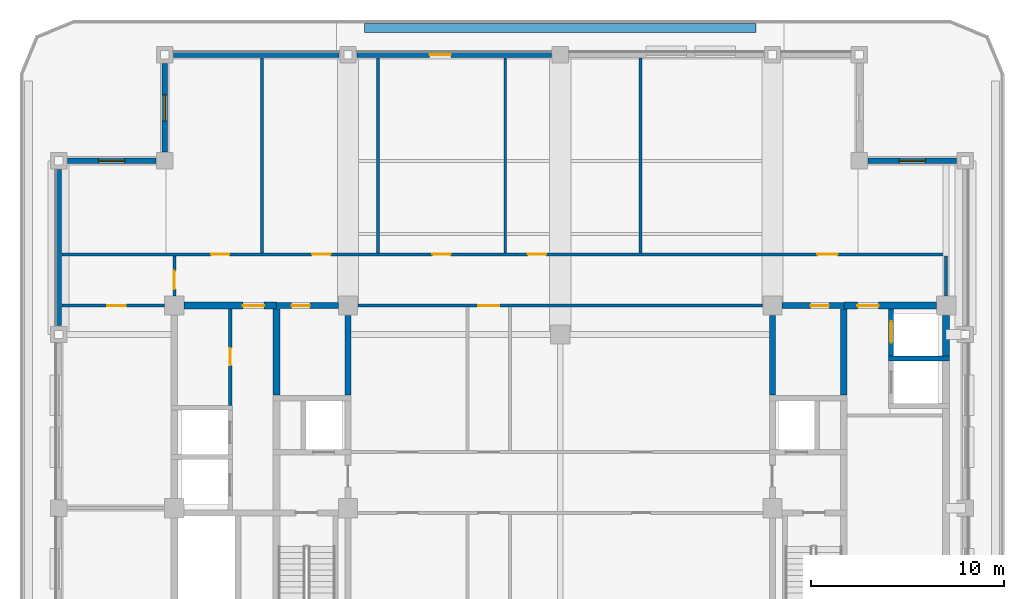
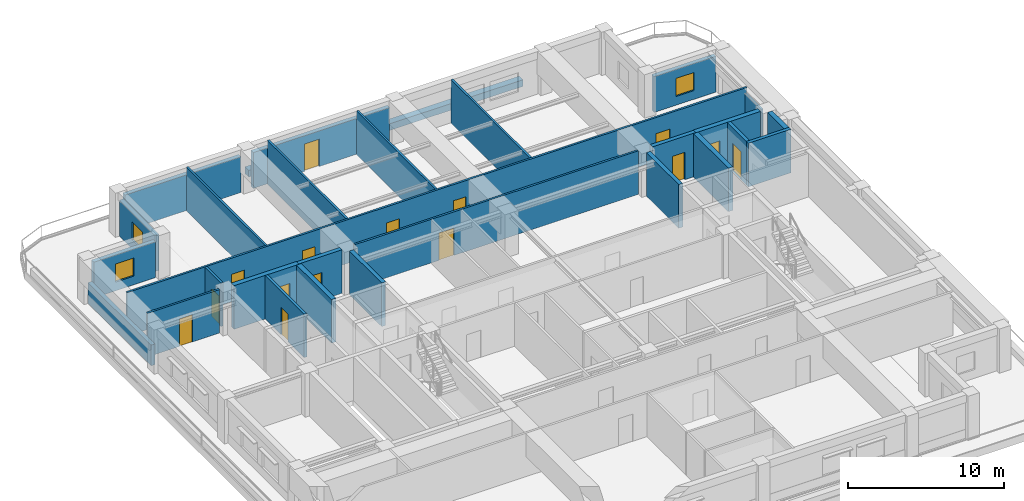
# One storey, part 5 of 11: 28 walls, 15 doors, 3 windows, 18 openings.
"""IFC4 building model written with IfcOpenShell, lengths in metres."""

from ifc_helpers import new_model, si_unit, direction, frame, frame_2d, origin, place, context, subcontext, project, spatial, rectangle, extrude, material, layer, layer_set, type_object, element, fill, save


model = new_model("IFC4")

# Units and contexts
model_context = context("Model", 3, precision=1e-05, world=origin(), true_north=direction((0.0, 1.0)))
body_context = subcontext(model_context, "Body", "Model", "MODEL_VIEW")
ifc_project = project(units=[si_unit("LENGTHUNIT", "METRE"), si_unit("AREAUNIT", "SQUARE_METRE"), si_unit("VOLUMEUNIT", "CUBIC_METRE"), si_unit("PLANEANGLEUNIT", "RADIAN"), si_unit("MASSUNIT", "GRAM", prefix="KILO")], contexts=[model_context])

# Site, building, storey
site_placement = place(None, origin())
site = spatial("IfcSite", under=ifc_project, at=site_placement, CompositionType="ELEMENT")
building_placement = place(site_placement, origin())
building = spatial("IfcBuilding", under=site, at=building_placement, Name="Zulmaris Gate Convention Tower", CompositionType="ELEMENT")
storey_placement = place(building_placement, frame((0.0, 0.0, 278.06005859375)))
storey = spatial("IfcBuildingStorey", under=building, at=storey_placement, Name="L74", CompositionType="ELEMENT", Elevation=278.06005859375)

# Wall
ifc_material_1 = material(Name="Concrete C50/60", Category="concrete")
ifc_layer_1 = layer(ifc_material_1, 0.25, Name="Concrete C50/60")
ifc_layer_set_1 = layer_set([ifc_layer_1], Name="Concrete C50/60")
wall_type_1 = type_object("IfcWallType", Name="CORE-250", PredefinedType="SOLIDWALL", material=ifc_layer_set_1)
wall_1_placement = place(storey_placement, frame((17.02490234375, 7.75, 0.0), z_axis=(0.0, 0.0, 1.0), x_axis=(1.0, 0.0, 0.0)))
element("IfcWall", 1, at=wall_1_placement, inside=storey, type_object=wall_type_1, Name="WL-L74-014", PredefinedType="SOLIDWALL", context=body_context, shape_type="SweptSolid", body=[
    extrude(rectangle(XDim=3.150146484375, YDim=0.25, at=frame_2d((1.5751953125, 0.0))), origin(), (0.0, 0.0, 1.0), 3.4150390625),
])

# Wall, opening, door
wall_2_placement = place(storey_placement, frame((17.14990234375, 7.876953125, 0.0), z_axis=(0.0, 0.0, 1.0), x_axis=(0.0, 1.0, 0.0)))
wall_2 = element("IfcWall", 2, at=wall_2_placement, inside=storey, type_object=wall_type_1, Name="WL-L74-060", PredefinedType="SOLIDWALL", context=body_context, shape_type="SweptSolid", body=[
    extrude(rectangle(XDim=2.446044921875, YDim=0.25, at=frame_2d((1.22314453125, 0.0))), origin(), (0.0, 0.0, 1.0), 3.4150390625),
])
opening_1_placement = place(wall_2_placement, frame((0.697998046875, 0.0, 0.0)))
opening_1 = element("IfcOpeningElement", 3, at=opening_1_placement, cuts=wall_2, Name="Opening D-06", PredefinedType="OPENING", context=body_context, shape_type="SweptSolid", body=[
    extrude(rectangle(XDim=1.10009765625, YDim=2.199951171875, at=frame_2d((0.550048828125, 1.10009765625))), frame((0.0, 0.135009765625, 0.0), z_axis=(0.0, -1.0, 0.0), x_axis=(1.0, 0.0, 0.0)), (0.0, 0.0, 1.0), 0.27001953125),
])
ifc_material_2 = material(Name="Brushed Stainless Steel", Category="steel")
door_type_1 = type_object("IfcDoorType", Name="LD-1100", OperationType="NOTDEFINED", PredefinedType="DOOR", material=ifc_material_2)
door_1_placement = place(opening_1_placement, origin())
door_1 = element("IfcDoor", 4, at=door_1_placement, inside=storey, type_object=door_type_1, Name="L74 Lift Landing Door HP-02 15", OperationType="SLIDING_TO_RIGHT", OverallHeight=2.199951171875, OverallWidth=1.10009765625, PredefinedType="DOOR", context=body_context, shape_type="SweptSolid", body=[
    extrude(rectangle(XDim=1.10009765625, YDim=2.199951171875, at=frame_2d((0.550048828125, 1.10009765625))), frame((0.0, 0.02490234375, 0.0), z_axis=(0.0, -1.0, 0.0), x_axis=(1.0, 0.0, 0.0)), (0.0, 0.0, 1.0), 0.050048828125),
])
fill(opening_1, door_1)

ifc_layer_2 = layer(ifc_material_1, 0.300048828125, Name="Concrete C50/60")
ifc_layer_set_2 = layer_set([ifc_layer_2], Name="Concrete C50/60")
wall_type_2 = type_object("IfcWallType", Name="CORE-300", PredefinedType="SHEAR", material=ifc_layer_set_2)
wall_3_placement = place(storey_placement, frame((-14.699951171875, 10.5, 0.0), z_axis=(0.0, 0.0, 1.0), x_axis=(1.0, 0.0, 0.0)))
wall_3 = element("IfcWall", 5, at=wall_3_placement, inside=storey, type_object=wall_type_2, Name="WL-L74-016", PredefinedType="SHEAR", context=body_context, shape_type="SweptSolid", body=[
    extrude(rectangle(XDim=3.196044921875, YDim=0.300048828125, at=frame_2d((1.59814453125, 0.0))), origin(), (0.0, 0.0, 1.0), 3.4150390625),
])
opening_2_placement = place(wall_3_placement, frame((0.77490234375, 0.0, 0.0)))
opening_2 = element("IfcOpeningElement", 6, at=opening_2_placement, cuts=wall_3, Name="Opening D-11", PredefinedType="OPENING", context=body_context, shape_type="SweptSolid", body=[
    extrude(rectangle(XDim=0.949951171875, YDim=2.14990234375, at=frame_2d((0.47509765625, 1.074951171875))), frame((0.0, 0.16015625, 0.0), z_axis=(0.0, -1.0, 0.0), x_axis=(1.0, 0.0, 0.0)), (0.0, 0.0, 1.0), 0.320068359375),
])
ifc_material_3 = material(Name="Fire-Rated Timber", Category="wood")
door_type_2 = type_object("IfcDoorType", Name="DR-950-FD", OperationType="NOTDEFINED", PredefinedType="DOOR", material=ifc_material_3)
door_2_placement = place(opening_2_placement, origin())
door_2 = element("IfcDoor", 7, at=door_2_placement, inside=storey, type_object=door_type_2, Name="L74 Core Pantry Door 07", OperationType="SINGLE_SWING_LEFT", OverallHeight=2.14990234375, OverallWidth=0.949951171875, PredefinedType="DOOR", context=body_context, shape_type="SweptSolid", body=[
    extrude(rectangle(XDim=0.949951171875, YDim=2.14990234375, at=frame_2d((0.47509765625, 1.074951171875))), frame((0.0, 0.02490234375, 0.0), z_axis=(0.0, -1.0, 0.0), x_axis=(1.0, 0.0, 0.0)), (0.0, 0.0, 1.0), 0.050048828125),
])
fill(opening_2, door_2)

wall_4_placement = place(storey_placement, frame((11.50390625, 10.5, 0.0), z_axis=(0.0, 0.0, 1.0), x_axis=(1.0, 0.0, 0.0)))
wall_4 = element("IfcWall", 8, at=wall_4_placement, inside=storey, type_object=wall_type_2, Name="WL-L74-017", PredefinedType="SHEAR", context=body_context, shape_type="SweptSolid", body=[
    extrude(rectangle(XDim=3.196044921875, YDim=0.300048828125, at=frame_2d((1.59814453125, 0.0))), origin(), (0.0, 0.0, 1.0), 3.4150390625),
])
opening_3_placement = place(wall_4_placement, frame((1.470947265625, 0.0, 0.0)))
opening_3 = element("IfcOpeningElement", 9, at=opening_3_placement, cuts=wall_4, Name="Opening D-11", PredefinedType="OPENING", context=body_context, shape_type="SweptSolid", body=[
    extrude(rectangle(XDim=0.949951171875, YDim=2.14990234375, at=frame_2d((0.47509765625, 1.074951171875))), frame((0.0, 0.16015625, 0.0), z_axis=(0.0, -1.0, 0.0), x_axis=(1.0, 0.0, 0.0)), (0.0, 0.0, 1.0), 0.320068359375),
])
door_3_placement = place(opening_3_placement, origin())
door_3 = element("IfcDoor", 10, at=door_3_placement, inside=storey, type_object=door_type_2, Name="L74 Core Cleaners Store Door 08", OperationType="SINGLE_SWING_RIGHT", OverallHeight=2.14990234375, OverallWidth=0.949951171875, PredefinedType="DOOR", context=body_context, shape_type="SweptSolid", body=[
    extrude(rectangle(XDim=0.949951171875, YDim=2.14990234375, at=frame_2d((0.47509765625, 1.074951171875))), frame((0.0, 0.02490234375, 0.0), z_axis=(0.0, -1.0, 0.0), x_axis=(1.0, 0.0, 0.0)), (0.0, 0.0, 1.0), 0.050048828125),
])
fill(opening_3, door_3)

# Walls
for number, where, z_axis, x_axis, name in (
    (11, (-11.0, 5.85205078125, 0.0), (0.0, 0.0, 1.0), (0.0, 1.0, 0.0), "WL-L74-048"),
    (12, (11.0, 5.85205078125, 0.0), (0.0, 0.0, 1.0), (0.0, 1.0, 0.0), "WL-L74-052"),
):
    element("IfcWall", number, at=place(storey_placement, frame(where, z_axis=z_axis, x_axis=x_axis)), inside=storey, type_object=wall_type_2, Name=name, PredefinedType="SHEAR", context=body_context, shape_type="SweptSolid", body=[
        extrude(rectangle(XDim=4.14404296875, YDim=0.300048828125, at=frame_2d((2.072021484375, 0.0))), origin(), (0.0, 0.0, 1.0), 3.4150390625),
    ])

# Wall, opening, door
ifc_material_4 = material(Name="Concrete C55/67", Category="concrete")
ifc_layer_3 = layer(ifc_material_4, 0.35009765625, Name="Concrete C55/67")
ifc_layer_set_3 = layer_set([ifc_layer_3], Name="Concrete C55/67")
wall_type_3 = type_object("IfcWallType", Name="CORE-350", PredefinedType="SHEAR", material=ifc_layer_set_3)
wall_5_placement = place(storey_placement, frame((-19.49609375, 10.5, 0.0), z_axis=(0.0, 0.0, 1.0), x_axis=(1.0, 0.0, 0.0)))
wall_5 = element("IfcWall", 13, at=wall_5_placement, inside=storey, type_object=wall_type_3, Name="WL-L74-015", PredefinedType="SHEAR", context=body_context, shape_type="SweptSolid", body=[
    extrude(rectangle(XDim=4.796142578125, YDim=0.35009765625, at=frame_2d((2.39794921875, 0.0))), origin(), (0.0, 0.0, 1.0), 3.4150390625),
])
opening_4_placement = place(wall_5_placement, frame((3.0458984375, 0.0, 0.0)))
opening_4 = element("IfcOpeningElement", 14, at=opening_4_placement, cuts=wall_5, Name="Opening D-08", PredefinedType="OPENING", context=body_context, shape_type="SweptSolid", body=[
    extrude(rectangle(XDim=1.10009765625, YDim=2.14990234375, at=frame_2d((0.550048828125, 1.074951171875))), frame((0.0, 0.18505859375, 0.0), z_axis=(0.0, -1.0, 0.0), x_axis=(1.0, 0.0, 0.0)), (0.0, 0.0, 1.0), 0.3701171875),
])
ifc_material_5 = material(Name="Fire-Rated Steel", Category="steel")
door_type_3 = type_object("IfcDoorType", Name="DR-1100-FD", OperationType="NOTDEFINED", PredefinedType="DOOR", material=ifc_material_5)
door_4_placement = place(opening_4_placement, origin())
door_4 = element("IfcDoor", 15, at=door_4_placement, inside=storey, type_object=door_type_3, Name="L74 High-Rise West Lift Lobby Door 12", OperationType="SINGLE_SWING_RIGHT", OverallHeight=2.14990234375, OverallWidth=1.10009765625, PredefinedType="DOOR", context=body_context, shape_type="SweptSolid", body=[
    extrude(rectangle(XDim=1.10009765625, YDim=2.14990234375, at=frame_2d((0.550048828125, 1.074951171875))), frame((0.0, 0.02490234375, 0.0), z_axis=(0.0, -1.0, 0.0), x_axis=(1.0, 0.0, 0.0)), (0.0, 0.0, 1.0), 0.050048828125),
])
fill(opening_4, door_4)

wall_6_placement = place(storey_placement, frame((14.699951171875, 10.5, 0.0), z_axis=(0.0, 0.0, 1.0), x_axis=(1.0, 0.0, 0.0)))
wall_6 = element("IfcWall", 16, at=wall_6_placement, inside=storey, type_object=wall_type_3, Name="WL-L74-018", PredefinedType="SHEAR", context=body_context, shape_type="SweptSolid", body=[
    extrude(rectangle(XDim=4.796142578125, YDim=0.35009765625, at=frame_2d((2.39794921875, 0.0))), origin(), (0.0, 0.0, 1.0), 3.4150390625),
])
opening_5_placement = place(wall_6_placement, frame((0.699951171875, 0.0, 0.0)))
opening_5 = element("IfcOpeningElement", 17, at=opening_5_placement, cuts=wall_6, Name="Opening D-08", PredefinedType="OPENING", context=body_context, shape_type="SweptSolid", body=[
    extrude(rectangle(XDim=1.10009765625, YDim=2.14990234375, at=frame_2d((0.550048828125, 1.074951171875))), frame((0.0, 0.18505859375, 0.0), z_axis=(0.0, -1.0, 0.0), x_axis=(1.0, 0.0, 0.0)), (0.0, 0.0, 1.0), 0.3701171875),
])
door_5_placement = place(opening_5_placement, origin())
door_5 = element("IfcDoor", 18, at=door_5_placement, inside=storey, type_object=door_type_3, Name="L74 High-Rise East Lift Lobby Door 16", OperationType="SINGLE_SWING_RIGHT", OverallHeight=2.14990234375, OverallWidth=1.10009765625, PredefinedType="DOOR", context=body_context, shape_type="SweptSolid", body=[
    extrude(rectangle(XDim=1.10009765625, YDim=2.14990234375, at=frame_2d((0.550048828125, 1.074951171875))), frame((0.0, 0.02490234375, 0.0), z_axis=(0.0, -1.0, 0.0), x_axis=(1.0, 0.0, 0.0)), (0.0, 0.0, 1.0), 0.050048828125),
])
fill(opening_5, door_5)

# Walls
for number, where, z_axis, x_axis, name in (
    (19, (-14.699951171875, 5.85205078125, 0.0), (0.0, 0.0, 1.0), (0.0, 1.0, 0.0), "WL-L74-042"),
    (20, (14.699951171875, 5.85205078125, 0.0), (0.0, 0.0, 1.0), (0.0, 1.0, 0.0), "WL-L74-058"),
):
    element("IfcWall", number, at=place(storey_placement, frame(where, z_axis=z_axis, x_axis=x_axis)), inside=storey, type_object=wall_type_3, Name=name, PredefinedType="SHEAR", context=body_context, shape_type="SweptSolid", body=[
        extrude(rectangle(XDim=4.470947265625, YDim=0.35009765625, at=frame_2d((2.2353515625, 0.0))), origin(), (0.0, 0.0, 1.0), 3.4150390625),
    ])
wall_7_placement = place(storey_placement, frame((20.0, 7.876953125, 0.0), z_axis=(0.0, 0.0, 1.0), x_axis=(0.0, 1.0, 0.0)))
element("IfcWall", 21, at=wall_7_placement, inside=storey, type_object=wall_type_3, Name="WL-L74-063", PredefinedType="SHEAR", context=body_context, shape_type="SweptSolid", body=[
    extrude(rectangle(XDim=2.119140625, YDim=0.35009765625, at=frame_2d((1.0595703125, 0.0))), origin(), (0.0, 0.0, 1.0), 3.4150390625),
])

# Wall, opening, door
ifc_material_6 = material(Name="Gypsum Metal Stud Partition")
ifc_layer_4 = layer(ifc_material_6, 0.14990234375, Name="Gypsum Metal Stud Partition")
ifc_layer_set_4 = layer_set([ifc_layer_4], Name="Gypsum Metal Stud Partition")
wall_type_4 = type_object("IfcWallType", Name="PART-150", PredefinedType="PARTITIONING", material=ifc_layer_set_4)
wall_8_placement = place(storey_placement, frame((-25.8349609375, 10.5, 0.0), z_axis=(0.0, 0.0, 1.0), x_axis=(1.0, 0.0, 0.0)))
wall_8 = element("IfcWall", 22, at=wall_8_placement, inside=storey, type_object=wall_type_4, Name="WL-L74-029", PredefinedType="PARTITIONING", context=body_context, shape_type="SweptSolid", body=[
    extrude(rectangle(XDim=5.328857421875, YDim=0.14990234375, at=frame_2d((2.66455078125, 0.0))), origin(), (0.0, 0.0, 1.0), 3.4150390625),
])
opening_6_placement = place(wall_8_placement, frame((2.360107421875, 0.0, 0.0)))
opening_6 = element("IfcOpeningElement", 23, at=opening_6_placement, cuts=wall_8, Name="Opening D-11", PredefinedType="OPENING", context=body_context, shape_type="SweptSolid", body=[
    extrude(rectangle(XDim=0.949951171875, YDim=2.14990234375, at=frame_2d((0.47509765625, 1.074951171875))), frame((0.0, 0.0849609375, 0.0), z_axis=(0.0, -1.0, 0.0), x_axis=(1.0, 0.0, 0.0)), (0.0, 0.0, 1.0), 0.169921875),
])
door_6_placement = place(opening_6_placement, origin())
door_6 = element("IfcDoor", 24, at=door_6_placement, inside=storey, type_object=door_type_2, Name="L74 NW Partner Door 41", OperationType="SINGLE_SWING_LEFT", OverallHeight=2.14990234375, OverallWidth=0.949951171875, PredefinedType="DOOR", context=body_context, shape_type="SweptSolid", body=[
    extrude(rectangle(XDim=0.949951171875, YDim=2.14990234375, at=frame_2d((0.47509765625, 1.074951171875))), frame((0.0, 0.02490234375, 0.0), z_axis=(0.0, -1.0, 0.0), x_axis=(1.0, 0.0, 0.0)), (0.0, 0.0, 1.0), 0.050048828125),
])
fill(opening_6, door_6)

wall_9_placement = place(storey_placement, frame((-10.493896484375, 10.5, 0.0), z_axis=(0.0, 0.0, 1.0), x_axis=(1.0, 0.0, 0.0)))
wall_9 = element("IfcWall", 25, at=wall_9_placement, inside=storey, type_object=wall_type_4, Name="WL-L74-030", PredefinedType="PARTITIONING", context=body_context, shape_type="SweptSolid", body=[
    extrude(rectangle(XDim=20.98779296875, YDim=0.14990234375, at=frame_2d((10.493896484375, 0.0))), origin(), (0.0, 0.0, 1.0), 3.4150390625),
])
opening_7_placement = place(wall_9_placement, frame((6.243896484375, 0.0, 0.0)))
opening_7 = element("IfcOpeningElement", 26, at=opening_7_placement, cuts=wall_9, Name="Opening D-08", PredefinedType="OPENING", context=body_context, shape_type="SweptSolid", body=[
    extrude(rectangle(XDim=1.10009765625, YDim=2.14990234375, at=frame_2d((0.550048828125, 1.074951171875))), frame((0.0, 0.0849609375, 0.0), z_axis=(0.0, -1.0, 0.0), x_axis=(1.0, 0.0, 0.0)), (0.0, 0.0, 1.0), 0.169921875),
])
door_7_placement = place(opening_7_placement, origin())
door_7 = element("IfcDoor", 27, at=door_7_placement, inside=storey, type_object=door_type_3, Name="L74 Exec North Link Door 18", OperationType="SINGLE_SWING_RIGHT", OverallHeight=2.14990234375, OverallWidth=1.10009765625, PredefinedType="DOOR", context=body_context, shape_type="SweptSolid", body=[
    extrude(rectangle(XDim=1.10009765625, YDim=2.14990234375, at=frame_2d((0.550048828125, 1.074951171875))), frame((0.0, 0.02490234375, 0.0), z_axis=(0.0, -1.0, 0.0), x_axis=(1.0, 0.0, 0.0)), (0.0, 0.0, 1.0), 0.050048828125),
])
fill(opening_7, door_7)

# Wall, openings, doors
wall_10_placement = place(storey_placement, frame((-25.8349609375, 13.14990234375, 0.0), z_axis=(0.0, 0.0, 1.0), x_axis=(1.0, 0.0, 0.0)))
wall_10 = element("IfcWall", 28, at=wall_10_placement, inside=storey, type_object=wall_type_4, Name="WL-L74-031", PredefinedType="PARTITIONING", context=body_context, shape_type="SweptSolid", body=[
    extrude(rectangle(XDim=45.909912109375, YDim=0.14990234375, at=frame_2d((22.955078125, 0.0))), origin(), (0.0, 0.0, 1.0), 3.4150390625),
])
opening_8_placement = place(wall_10_placement, frame((7.739990234375, 0.0, 0.0)))
opening_8 = element("IfcOpeningElement", 29, at=opening_8_placement, cuts=wall_10, Name="Opening D-11", PredefinedType="OPENING", context=body_context, shape_type="SweptSolid", body=[
    extrude(rectangle(XDim=0.949951171875, YDim=2.14990234375, at=frame_2d((0.47509765625, 1.074951171875))), frame((0.0, 0.0849609375, 0.0), z_axis=(0.0, -1.0, 0.0), x_axis=(1.0, 0.0, 0.0)), (0.0, 0.0, 1.0), 0.169921875),
])
opening_9_placement = place(wall_10_placement, frame((12.97998046875, 0.0, 0.0)))
opening_9 = element("IfcOpeningElement", 30, at=opening_9_placement, cuts=wall_10, Name="Opening D-11", PredefinedType="OPENING", context=body_context, shape_type="SweptSolid", body=[
    extrude(rectangle(XDim=0.949951171875, YDim=2.14990234375, at=frame_2d((0.47509765625, 1.074951171875))), frame((0.0, 0.0849609375, 0.0), z_axis=(0.0, -1.0, 0.0), x_axis=(1.0, 0.0, 0.0)), (0.0, 0.0, 1.0), 0.169921875),
])
opening_10_placement = place(wall_10_placement, frame((19.2099609375, 0.0, 0.0)))
opening_10 = element("IfcOpeningElement", 31, at=opening_10_placement, cuts=wall_10, Name="Opening D-11", PredefinedType="OPENING", context=body_context, shape_type="SweptSolid", body=[
    extrude(rectangle(XDim=0.949951171875, YDim=2.14990234375, at=frame_2d((0.47509765625, 1.074951171875))), frame((0.0, 0.0849609375, 0.0), z_axis=(0.0, -1.0, 0.0), x_axis=(1.0, 0.0, 0.0)), (0.0, 0.0, 1.0), 0.169921875),
])
opening_11_placement = place(wall_10_placement, frame((24.159912109375, 0.0, 0.0)))
opening_11 = element("IfcOpeningElement", 32, at=opening_11_placement, cuts=wall_10, Name="Opening D-11", PredefinedType="OPENING", context=body_context, shape_type="SweptSolid", body=[
    extrude(rectangle(XDim=0.949951171875, YDim=2.14990234375, at=frame_2d((0.47509765625, 1.074951171875))), frame((0.0, 0.0849609375, 0.0), z_axis=(0.0, -1.0, 0.0), x_axis=(1.0, 0.0, 0.0)), (0.0, 0.0, 1.0), 0.169921875),
])
opening_12_placement = place(wall_10_placement, frame((39.159912109375, 0.0, 0.0)))
opening_12 = element("IfcOpeningElement", 33, at=opening_12_placement, cuts=wall_10, Name="Opening D-09", PredefinedType="OPENING", context=body_context, shape_type="SweptSolid", body=[
    extrude(rectangle(XDim=1.050048828125, YDim=2.14990234375, at=frame_2d((0.52490234375, 1.074951171875))), frame((0.0, 0.0849609375, 0.0), z_axis=(0.0, -1.0, 0.0), x_axis=(1.0, 0.0, 0.0)), (0.0, 0.0, 1.0), 0.169921875),
])
door_type_4 = type_object("IfcDoorType", Name="DR-1050-FD", OperationType="NOTDEFINED", PredefinedType="DOOR", material=ifc_material_5)
door_8_placement = place(opening_12_placement, origin())
door_8 = element("IfcDoor", 34, at=door_8_placement, inside=storey, type_object=door_type_4, Name="L74 Partner Corner Office Door 26", OperationType="SINGLE_SWING_RIGHT", OverallHeight=2.14990234375, OverallWidth=1.050048828125, PredefinedType="DOOR", context=body_context, shape_type="SweptSolid", body=[
    extrude(rectangle(XDim=1.050048828125, YDim=2.14990234375, at=frame_2d((0.52490234375, 1.074951171875))), frame((0.0, 0.02490234375, 0.0), z_axis=(0.0, -1.0, 0.0), x_axis=(1.0, 0.0, 0.0)), (0.0, 0.0, 1.0), 0.050048828125),
])
fill(opening_12, door_8)
door_9_placement = place(opening_8_placement, origin())
door_9 = element("IfcDoor", 35, at=door_9_placement, inside=storey, type_object=door_type_2, Name="L74 Partner Corner Office Door 22", OperationType="SINGLE_SWING_RIGHT", OverallHeight=2.14990234375, OverallWidth=0.949951171875, PredefinedType="DOOR", context=body_context, shape_type="SweptSolid", body=[
    extrude(rectangle(XDim=0.949951171875, YDim=2.14990234375, at=frame_2d((0.47509765625, 1.074951171875))), frame((0.0, 0.02490234375, 0.0), z_axis=(0.0, -1.0, 0.0), x_axis=(1.0, 0.0, 0.0)), (0.0, 0.0, 1.0), 0.050048828125),
])
fill(opening_8, door_9)
door_10_placement = place(opening_9_placement, origin())
door_10 = element("IfcDoor", 36, at=door_10_placement, inside=storey, type_object=door_type_2, Name="L74 Advisory Suite Office Door 23", OperationType="SINGLE_SWING_LEFT", OverallHeight=2.14990234375, OverallWidth=0.949951171875, PredefinedType="DOOR", context=body_context, shape_type="SweptSolid", body=[
    extrude(rectangle(XDim=0.949951171875, YDim=2.14990234375, at=frame_2d((0.47509765625, 1.074951171875))), frame((0.0, 0.02490234375, 0.0), z_axis=(0.0, -1.0, 0.0), x_axis=(1.0, 0.0, 0.0)), (0.0, 0.0, 1.0), 0.050048828125),
])
fill(opening_9, door_10)
door_11_placement = place(opening_10_placement, origin())
door_11 = element("IfcDoor", 37, at=door_11_placement, inside=storey, type_object=door_type_2, Name="L74 Open Plan Workplace Door 24", OperationType="SINGLE_SWING_RIGHT", OverallHeight=2.14990234375, OverallWidth=0.949951171875, PredefinedType="DOOR", context=body_context, shape_type="SweptSolid", body=[
    extrude(rectangle(XDim=0.949951171875, YDim=2.14990234375, at=frame_2d((0.47509765625, 1.074951171875))), frame((0.0, 0.02490234375, 0.0), z_axis=(0.0, -1.0, 0.0), x_axis=(1.0, 0.0, 0.0)), (0.0, 0.0, 1.0), 0.050048828125),
])
fill(opening_10, door_11)
door_12_placement = place(opening_11_placement, origin())
door_12 = element("IfcDoor", 38, at=door_12_placement, inside=storey, type_object=door_type_2, Name="L74 Executive Office Door 25", OperationType="SINGLE_SWING_LEFT", OverallHeight=2.14990234375, OverallWidth=0.949951171875, PredefinedType="DOOR", context=body_context, shape_type="SweptSolid", body=[
    extrude(rectangle(XDim=0.949951171875, YDim=2.14990234375, at=frame_2d((0.47509765625, 1.074951171875))), frame((0.0, 0.02490234375, 0.0), z_axis=(0.0, -1.0, 0.0), x_axis=(1.0, 0.0, 0.0)), (0.0, 0.0, 1.0), 0.050048828125),
])
fill(opening_11, door_12)

# Wall, opening, door
wall_11_placement = place(storey_placement, frame((-20.0, 11.006103515625, 0.0), z_axis=(0.0, 0.0, 1.0), x_axis=(0.0, 1.0, 0.0)))
wall_11 = element("IfcWall", 39, at=wall_11_placement, inside=storey, type_object=wall_type_4, Name="WL-L74-065", PredefinedType="PARTITIONING", context=body_context, shape_type="SweptSolid", body=[
    extrude(rectangle(XDim=2.06591796875, YDim=0.14990234375, at=frame_2d((1.032958984375, 0.0))), origin(), (0.0, 0.0, 1.0), 3.4150390625),
])
opening_13_placement = place(wall_11_placement, frame((0.339111328125, 0.0, 0.0)))
opening_13 = element("IfcOpeningElement", 40, at=opening_13_placement, cuts=wall_11, Name="Opening D-11", PredefinedType="OPENING", context=body_context, shape_type="SweptSolid", body=[
    extrude(rectangle(XDim=0.949951171875, YDim=2.14990234375, at=frame_2d((0.47509765625, 1.074951171875))), frame((0.0, 0.0849609375, 0.0), z_axis=(0.0, -1.0, 0.0), x_axis=(1.0, 0.0, 0.0)), (0.0, 0.0, 1.0), 0.169921875),
])
door_13_placement = place(opening_13_placement, origin())
door_13 = element("IfcDoor", 41, at=door_13_placement, inside=storey, type_object=door_type_2, Name="L74 NW Spur Door 39", OperationType="SINGLE_SWING_LEFT", OverallHeight=2.14990234375, OverallWidth=0.949951171875, PredefinedType="DOOR", context=body_context, shape_type="SweptSolid", body=[
    extrude(rectangle(XDim=0.949951171875, YDim=2.14990234375, at=frame_2d((0.47509765625, 1.074951171875))), frame((0.0, 0.02490234375, 0.0), z_axis=(0.0, -1.0, 0.0), x_axis=(1.0, 0.0, 0.0)), (0.0, 0.0, 1.0), 0.050048828125),
])
fill(opening_13, door_13)

# Walls
for number, where, z_axis, x_axis, name in (
    (42, (-15.449951171875, 13.22802734375, 0.0), (0.0, 0.0, 1.0), (0.0, 1.0, 0.0), "WL-L74-067"),
    (43, (-9.449951171875, 13.22802734375, 0.0), (0.0, 0.0, 1.0), (0.0, 1.0, 0.0), "WL-L74-068"),
    (44, (-2.85009765625, 13.22802734375, 0.0), (0.0, 0.0, 1.0), (0.0, 1.0, 0.0), "WL-L74-071"),
    (45, (4.14990234375, 13.22802734375, 0.0), (0.0, 0.0, 1.0), (0.0, 1.0, 0.0), "WL-L74-082"),
):
    element("IfcWall", number, at=place(storey_placement, frame(where, z_axis=z_axis, x_axis=x_axis)), inside=storey, type_object=wall_type_4, Name=name, PredefinedType="PARTITIONING", context=body_context, shape_type="SweptSolid", body=[
        extrude(rectangle(XDim=10.10693359375, YDim=0.14990234375, at=frame_2d((5.053466796875, 0.0))), origin(), (0.0, 0.0, 1.0), 3.4150390625),
    ])
wall_12_placement = place(storey_placement, frame((20.0, 11.006103515625, 0.0), z_axis=(0.0, 0.0, 1.0), x_axis=(0.0, 1.0, 0.0)))
element("IfcWall", 46, at=wall_12_placement, inside=storey, type_object=wall_type_4, Name="WL-L74-085", PredefinedType="PARTITIONING", context=body_context, shape_type="SweptSolid", body=[
    extrude(rectangle(XDim=2.06591796875, YDim=0.14990234375, at=frame_2d((1.032958984375, 0.0))), origin(), (0.0, 0.0, 1.0), 3.0048828125),
])

# Wall, opening, door
ifc_material_7 = material(Name="Autoclaved Aerated Concrete Block and Plasterboard", Category="concrete")
ifc_layer_5 = layer(ifc_material_7, 0.199951171875, Name="Autoclaved Aerated Concrete Block and Plasterboard")
ifc_layer_set_5 = layer_set([ifc_layer_5], Name="Autoclaved Aerated Concrete Block and Plasterboard")
wall_type_5 = type_object("IfcWallType", Name="PART-200", PredefinedType="PARTITIONING", material=ifc_layer_set_5)
wall_13_placement = place(storey_placement, frame((-17.10009765625, 5.327880859375, 0.0), z_axis=(0.0, 0.0, 1.0), x_axis=(0.0, 1.0, 0.0)))
wall_13 = element("IfcWall", 47, at=wall_13_placement, inside=storey, type_object=wall_type_5, Name="WL-L74-066", PredefinedType="PARTITIONING", context=body_context, shape_type="SweptSolid", body=[
    extrude(rectangle(XDim=4.994140625, YDim=0.199951171875, at=frame_2d((2.4970703125, 0.0))), origin(), (0.0, 0.0, 1.0), 3.4150390625),
])
opening_14_placement = place(wall_13_placement, frame((2.072021484375, 0.0, 0.0)))
opening_14 = element("IfcOpeningElement", 48, at=opening_14_placement, cuts=wall_13, Name="Opening D-12", PredefinedType="OPENING", context=body_context, shape_type="SweptSolid", body=[
    extrude(rectangle(XDim=0.89990234375, YDim=2.14990234375, at=frame_2d((0.449951171875, 1.074951171875))), frame((0.0, 0.10986328125, 0.0), z_axis=(0.0, -1.0, 0.0), x_axis=(1.0, 0.0, 0.0)), (0.0, 0.0, 1.0), 0.219970703125),
])
door_type_5 = type_object("IfcDoorType", Name="DR-900-FD", OperationType="NOTDEFINED", PredefinedType="DOOR", material=ifc_material_3)
door_14_placement = place(opening_14_placement, origin())
door_14 = element("IfcDoor", 49, at=door_14_placement, inside=storey, type_object=door_type_5, Name="L74 Housekeeping Door 13", OperationType="SINGLE_SWING_LEFT", OverallHeight=2.14990234375, OverallWidth=0.89990234375, PredefinedType="DOOR", context=body_context, shape_type="SweptSolid", body=[
    extrude(rectangle(XDim=0.89990234375, YDim=2.14990234375, at=frame_2d((0.449951171875, 1.074951171875))), frame((0.0, 0.02490234375, 0.0), z_axis=(0.0, -1.0, 0.0), x_axis=(1.0, 0.0, 0.0)), (0.0, 0.0, 1.0), 0.050048828125),
])
fill(opening_14, door_14)

# Wall
ifc_material_8 = material(Name="Botanical Green Glazed Precast Concrete C40/50", Category="concrete")
ifc_layer_6 = layer(ifc_material_8, 0.419921875, Name="Botanical Green Glazed Precast Concrete C40/50")
ifc_layer_set_6 = layer_set([ifc_layer_6], Name="Botanical Green Glazed Precast Concrete C40/50")
wall_type_6 = type_object("IfcWallType", Name="PLANTER-CURB-200", PredefinedType="PARAPET", material=ifc_layer_set_6)
wall_14_placement = place(storey_placement, frame((-10.14990234375, 24.8798828125, -0.0400390625), z_axis=(0.0, 0.0, 1.0), x_axis=(1.0, 0.0, 0.0)))
element("IfcWall", 50, at=wall_14_placement, inside=storey, type_object=wall_type_6, Name="L74 Full-Length Balcony Tree Planter Trough", PredefinedType="PARAPET", context=body_context, shape_type="SweptSolid", body=[
    extrude(rectangle(XDim=20.2998046875, YDim=0.47998046875, at=frame_2d((10.14990234375, 0.0))), origin(), (0.0, 0.0, 1.0), 0.52001953125),
])

# Wall, opening, window
ifc_material_9 = material(Name="Precast concrete C40/50", Category="concrete")
ifc_layer_7 = layer(ifc_material_9, 0.300048828125, Name="Precast concrete C40/50")
ifc_layer_set_7 = layer_set([ifc_layer_7], Name="Precast concrete C40/50")
wall_type_7 = type_object("IfcWallType", Name="PRECAST-PIER-300", PredefinedType="STANDARD", material=ifc_layer_set_7)
wall_15_placement = place(storey_placement, frame((20.544921875, 18.0, 0.0), z_axis=(0.0, 0.0, 1.0), x_axis=(-1.0, 0.0, 0.0)))
wall_15 = element("IfcWall", 51, at=wall_15_placement, inside=storey, type_object=wall_type_7, Name="EW-L74-NOTCH-NE1_0", PredefinedType="STANDARD", context=body_context, shape_type="SweptSolid", body=[
    extrude(rectangle(XDim=4.58984375, YDim=0.300048828125, at=frame_2d((2.294921875, 0.0))), origin(), (0.0, 0.0, 1.0), 2.806884765625),
])
opening_15_placement = place(wall_15_placement, frame((1.6201171875, 0.0, 0.679931640625)))
opening_15 = element("IfcOpeningElement", 52, at=opening_15_placement, cuts=wall_15, Name="Opening W-10", PredefinedType="OPENING", context=body_context, shape_type="SweptSolid", body=[
    extrude(rectangle(XDim=1.35009765625, YDim=1.419921875, at=frame_2d((0.675048828125, 0.7099609375))), frame((0.0, 0.16015625, 0.0), z_axis=(0.0, -1.0, 0.0), x_axis=(1.0, 0.0, 0.0)), (0.0, 0.0, 1.0), 0.320068359375),
])
ifc_material_10 = material(Name="Low-E Laminated Double Glazing in Aluminium Frame", Category="aluminium")
window_type = type_object("IfcWindowType", Name="WIN-1350x2000", PartitioningType="SINGLE_PANEL", PredefinedType="WINDOW", material=ifc_material_10)
window_1_placement = place(opening_15_placement, origin())
window_1 = element("IfcWindow", 53, at=window_1_placement, inside=storey, type_object=window_type, Name="WN-EW-L74-NOTCH-NE1_0", OverallHeight=1.419921875, OverallWidth=1.35009765625, PartitioningType="SINGLE_PANEL", PredefinedType="WINDOW", context=body_context, shape_type="SweptSolid", body=[
    extrude(rectangle(XDim=1.35009765625, YDim=1.419921875, at=frame_2d((0.675048828125, 0.7099609375))), frame((0.0, 0.030029296875, 0.0), z_axis=(0.0, -1.0, 0.0), x_axis=(1.0, 0.0, 0.0)), (0.0, 0.0, 1.0), 0.06005859375),
])
fill(opening_15, window_1)

wall_16_placement = place(storey_placement, frame((-20.5, 23.044921875, 0.0), z_axis=(0.0, 0.0, 1.0), x_axis=(0.0, -1.0, 0.0)))
wall_16 = element("IfcWall", 54, at=wall_16_placement, inside=storey, type_object=wall_type_7, Name="EW-L74-NOTCH-NW1_0", PredefinedType="STANDARD", context=body_context, shape_type="SweptSolid", body=[
    extrude(rectangle(XDim=4.58984375, YDim=0.300048828125, at=frame_2d((2.294921875, 0.0))), origin(), (0.0, 0.0, 1.0), 2.806884765625),
])
opening_16_placement = place(wall_16_placement, frame((1.6201171875, 0.0, 0.679931640625)))
opening_16 = element("IfcOpeningElement", 55, at=opening_16_placement, cuts=wall_16, Name="Opening W-10", PredefinedType="OPENING", context=body_context, shape_type="SweptSolid", body=[
    extrude(rectangle(XDim=1.35009765625, YDim=1.419921875, at=frame_2d((0.675048828125, 0.7099609375))), frame((0.0, 0.16015625, 0.0), z_axis=(0.0, -1.0, 0.0), x_axis=(1.0, 0.0, 0.0)), (0.0, 0.0, 1.0), 0.320068359375),
])
window_2_placement = place(opening_16_placement, origin())
window_2 = element("IfcWindow", 56, at=window_2_placement, inside=storey, type_object=window_type, Name="WN-EW-L74-NOTCH-NW1_0", OverallHeight=1.419921875, OverallWidth=1.35009765625, PartitioningType="SINGLE_PANEL", PredefinedType="WINDOW", context=body_context, shape_type="SweptSolid", body=[
    extrude(rectangle(XDim=1.35009765625, YDim=1.419921875, at=frame_2d((0.675048828125, 0.7099609375))), frame((0.0, 0.030029296875, 0.0), z_axis=(0.0, -1.0, 0.0), x_axis=(1.0, 0.0, 0.0)), (0.0, 0.0, 1.0), 0.06005859375),
])
fill(opening_16, window_2)

wall_17_placement = place(storey_placement, frame((-20.955078125, 18.0, 0.0), z_axis=(0.0, 0.0, 1.0), x_axis=(-1.0, 0.0, 0.0)))
wall_17 = element("IfcWall", 57, at=wall_17_placement, inside=storey, type_object=wall_type_7, Name="EW-L74-NOTCH-NW2_0", PredefinedType="STANDARD", context=body_context, shape_type="SweptSolid", body=[
    extrude(rectangle(XDim=4.58984375, YDim=0.300048828125, at=frame_2d((2.294921875, 0.0))), origin(), (0.0, 0.0, 1.0), 2.806884765625),
])
opening_17_placement = place(wall_17_placement, frame((1.6201171875, 0.0, 0.679931640625)))
opening_17 = element("IfcOpeningElement", 58, at=opening_17_placement, cuts=wall_17, Name="Opening W-10", PredefinedType="OPENING", context=body_context, shape_type="SweptSolid", body=[
    extrude(rectangle(XDim=1.35009765625, YDim=1.419921875, at=frame_2d((0.675048828125, 0.7099609375))), frame((0.0, 0.16015625, 0.0), z_axis=(0.0, -1.0, 0.0), x_axis=(1.0, 0.0, 0.0)), (0.0, 0.0, 1.0), 0.320068359375),
])
window_3_placement = place(opening_17_placement, origin())
window_3 = element("IfcWindow", 59, at=window_3_placement, inside=storey, type_object=window_type, Name="WN-EW-L74-NOTCH-NW2_0", OverallHeight=1.419921875, OverallWidth=1.35009765625, PartitioningType="SINGLE_PANEL", PredefinedType="WINDOW", context=body_context, shape_type="SweptSolid", body=[
    extrude(rectangle(XDim=1.35009765625, YDim=1.419921875, at=frame_2d((0.675048828125, 0.7099609375))), frame((0.0, 0.030029296875, 0.0), z_axis=(0.0, -1.0, 0.0), x_axis=(1.0, 0.0, 0.0)), (0.0, 0.0, 1.0), 0.06005859375),
])
fill(opening_17, window_3)

# Wall
wall_18_placement = place(storey_placement, frame((-11.455078125, 23.5, 0.0), z_axis=(0.0, 0.0, 1.0), x_axis=(-1.0, 0.0, 0.0)))
element("IfcWall", 60, at=wall_18_placement, inside=storey, type_object=wall_type_7, Name="EW-L74-N-0_0", PredefinedType="STANDARD", context=body_context, shape_type="SweptSolid", body=[
    extrude(rectangle(XDim=8.58984375, YDim=0.300048828125, at=frame_2d((4.294921875, 0.0))), origin(), (0.0, 0.0, 1.0), 2.806884765625),
])

# Wall, opening, door
wall_19_placement = place(storey_placement, frame((-0.455078125, 23.5, 0.0), z_axis=(0.0, 0.0, 1.0), x_axis=(-1.0, 0.0, 0.0)))
wall_19 = element("IfcWall", 61, at=wall_19_placement, inside=storey, type_object=wall_type_7, Name="EW-L74-N-1_0", PredefinedType="STANDARD", context=body_context, shape_type="SweptSolid", body=[
    extrude(rectangle(XDim=10.08984375, YDim=0.300048828125, at=frame_2d((5.044921875, 0.0))), origin(), (0.0, 0.0, 1.0), 2.806884765625),
])
opening_18_placement = place(wall_19_placement, frame((5.2109375, 0.0, 0.0)))
opening_18 = element("IfcOpeningElement", 62, at=opening_18_placement, cuts=wall_19, Name="Opening D-04", PredefinedType="OPENING", context=body_context, shape_type="SweptSolid", body=[
    extrude(rectangle(XDim=1.10009765625, YDim=2.14990234375, at=frame_2d((0.550048828125, 1.074951171875))), frame((0.0, 0.16015625, 0.0), z_axis=(0.0, -1.0, 0.0), x_axis=(1.0, 0.0, 0.0)), (0.0, 0.0, 1.0), 0.320068359375),
])
ifc_material_11 = material(Name="Anodised Aluminium and Laminated Glass", Category="aluminium")
door_type_6 = type_object("IfcDoorType", Name="ED-1100", OperationType="SINGLE_SWING_RIGHT", PredefinedType="DOOR", material=ifc_material_11)
door_15_placement = place(opening_18_placement, origin())
door_15 = element("IfcDoor", 63, at=door_15_placement, inside=storey, type_object=door_type_6, Name="L74 N Planted Terrace Door", OperationType="SINGLE_SWING_LEFT", OverallHeight=2.14990234375, OverallWidth=1.10009765625, PredefinedType="DOOR", context=body_context, shape_type="SweptSolid", body=[
    extrude(rectangle(XDim=1.10009765625, YDim=2.14990234375, at=frame_2d((0.550048828125, 1.074951171875))), frame((0.0, 0.02490234375, 0.0), z_axis=(0.0, -1.0, 0.0), x_axis=(1.0, 0.0, 0.0)), (0.0, 0.0, 1.0), 0.050048828125),
])
fill(opening_18, door_15)

# Wall
wall_20_placement = place(storey_placement, frame((-26.0, 17.544921875, 0.0), z_axis=(0.0, 0.0, 1.0), x_axis=(0.0, -1.0, 0.0)))
element("IfcWall", 64, at=wall_20_placement, inside=storey, type_object=wall_type_7, Name="EW-L74-W-3_0", PredefinedType="STANDARD", context=body_context, shape_type="SweptSolid", body=[
    extrude(rectangle(XDim=8.08984375, YDim=0.300048828125, at=frame_2d((4.044921875, 0.0))), origin(), (0.0, 0.0, 1.0), 1.60693359375),
])

save(model, "model.ifc")
